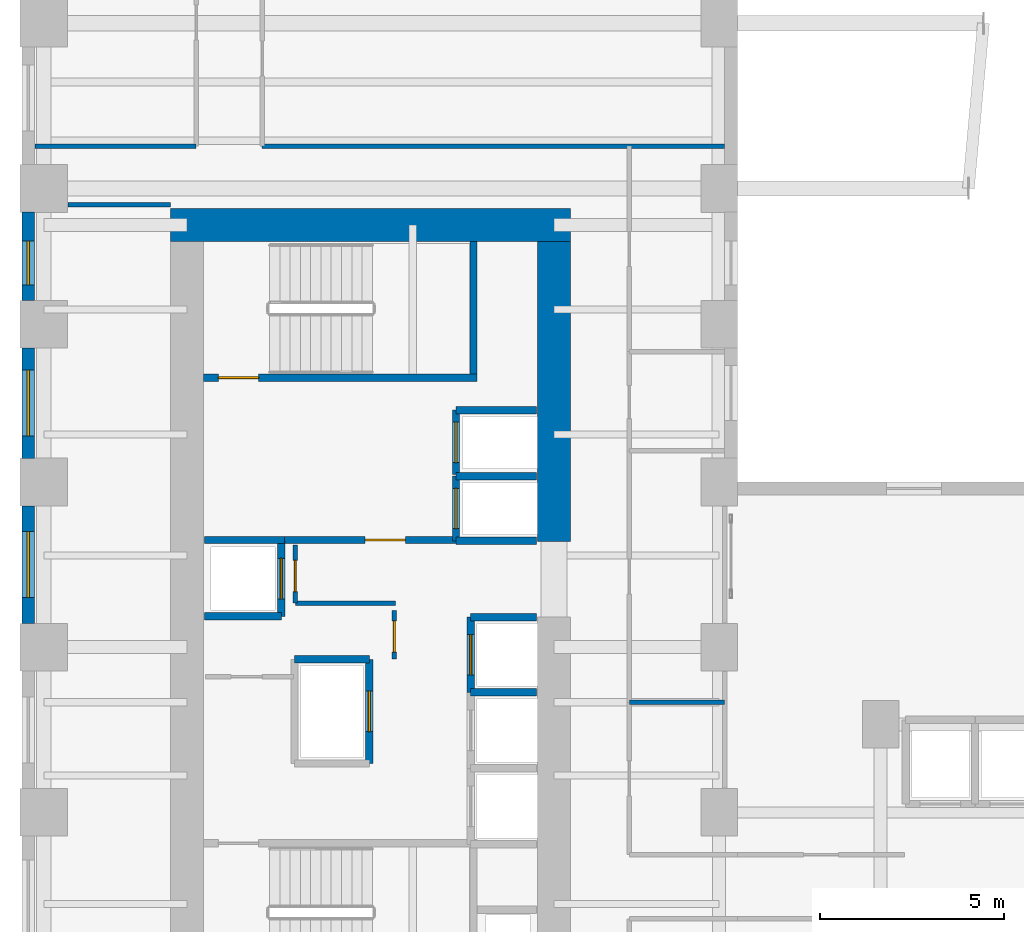
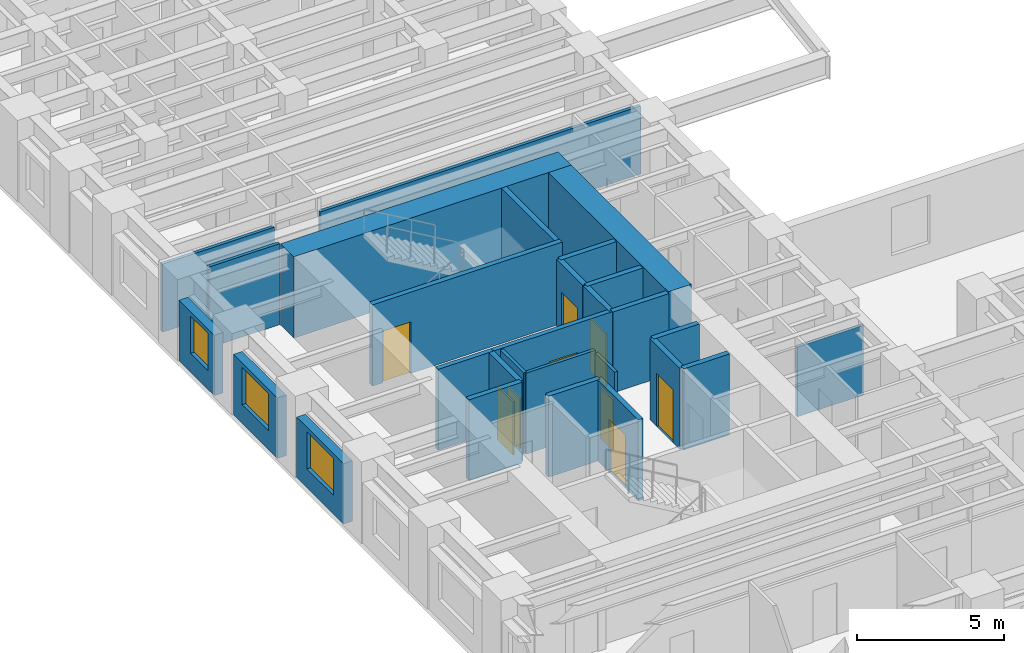
# One storey, part 7 of 13: 28 walls, 9 doors, 3 windows, 12 openings.
"""IFC4 building model written with IfcOpenShell, lengths in metres."""

from ifc_helpers import new_model, si_unit, direction, frame, frame_2d, origin, place, context, subcontext, project, spatial, rectangle, extrude, source, transform, mapped, material, layer, layer_set, type_object, element, fill, save


model = new_model("IFC4")

# Units and contexts
model_context = context("Model", 3, precision=1e-05, world=origin(), true_north=direction((0.0, 1.0)))
body_context = subcontext(model_context, "Body", "Model", "MODEL_VIEW")
ifc_project = project(units=[si_unit("LENGTHUNIT", "METRE"), si_unit("AREAUNIT", "SQUARE_METRE"), si_unit("VOLUMEUNIT", "CUBIC_METRE"), si_unit("PLANEANGLEUNIT", "RADIAN"), si_unit("MASSUNIT", "GRAM", prefix="KILO")], contexts=[model_context])

# Site, building, storey
site_placement = place(None, origin())
site = spatial("IfcSite", under=ifc_project, at=site_placement, CompositionType="ELEMENT")
building_placement = place(site_placement, origin())
building = spatial("IfcBuilding", under=site, at=building_placement, Name="Kharzan Plaza Tower", CompositionType="ELEMENT")
storey_placement = place(building_placement, frame((0.0, 0.0, 65.699951171875)))
storey = spatial("IfcBuildingStorey", under=building, at=storey_placement, Name="L17", CompositionType="ELEMENT", Elevation=65.699951171875)

# Wall, opening, window
ifc_material_1 = material(Name="Concrete C40/50", Category="concrete")
ifc_layer_1 = layer(ifc_material_1, 0.35009765625)
ifc_layer_set_1 = layer_set([ifc_layer_1], Name="Concrete C40/50")
wall_type_1 = type_object("IfcWallType", Name="WL-EXT-MAS-Z1", PredefinedType="SOLIDWALL", material=ifc_layer_set_1)
wall_1_placement = place(storey_placement, frame((0.175048828125, 29.85205078125, 0.0), z_axis=(0.0, 0.0, 1.0), x_axis=(0.0, -1.0, 0.0)))
wall_1 = element("IfcWall", 1, at=wall_1_placement, inside=storey, type_object=wall_type_1, Name="L17 Masonry-Frame Exterior Wall 14", PredefinedType="SOLIDWALL", context=body_context, shape_type="SweptSolid", body=[
    extrude(rectangle(XDim=2.404052734375, YDim=0.35009765625, at=frame_2d((1.2021484375, 0.0))), origin(), (0.0, 0.0, 1.0), 2.510009765625),
])
opening_1_placement = place(wall_1_placement, frame((0.786865234375, 0.0, 0.780029296875)))
opening_1 = element("IfcOpeningElement", 2, at=opening_1_placement, cuts=wall_1, Name="Opening W3", PredefinedType="OPENING", context=body_context, shape_type="SweptSolid", body=[
    extrude(rectangle(XDim=1.199951171875, YDim=1.550048828125, at=frame_2d((0.60009765625, 0.77490234375))), frame((0.0, 0.18505859375, 0.0), z_axis=(0.0, -1.0, 0.0), x_axis=(1.0, 0.0, 0.0)), (0.0, 0.0, 1.0), 0.3701171875),
])
ifc_material_2 = material(Name="Low-E Double Glazing", Category="glass")
window_type_1 = type_object("IfcWindowType", Name="WN-REC-1200x2100", PartitioningType="SINGLE_PANEL", PredefinedType="WINDOW", material=ifc_material_2)
shared_shape_1 = source(origin(), body_context, "Body", "SweptSolid", [
    extrude(rectangle(XDim=1.199951171875, YDim=1.550048828125, at=frame_2d((0.60009765625, 0.77490234375))), frame((0.0, 0.030029296875, 0.0), z_axis=(0.0, -1.0, 0.0), x_axis=(1.0, 0.0, 0.0)), (0.0, 0.0, 1.0), 0.06005859375),
])
window_1_placement = place(opening_1_placement, origin())
window_1 = element("IfcWindow", 3, at=window_1_placement, inside=storey, type_object=window_type_1, Name="L17 Recessed Solar-Control Window 14-1", OverallHeight=1.550048828125, OverallWidth=1.199951171875, PartitioningType="SINGLE_PANEL", PredefinedType="WINDOW", context=body_context, shape_type="MappedRepresentation", body=[
    mapped(shared_shape_1, transform((0.0, 0.0, 0.0), x_axis=(1.0, 0.0, 0.0), y_axis=(0.0, 1.0, 0.0), z_axis=(0.0, 0.0, 1.0))),
])
fill(opening_1, window_1)

wall_2_placement = place(storey_placement, frame((0.175048828125, 26.152099609375, 0.0), z_axis=(0.0, 0.0, 1.0), x_axis=(0.0, -1.0, 0.0)))
wall_2 = element("IfcWall", 4, at=wall_2_placement, inside=storey, type_object=wall_type_1, Name="L17 Masonry-Frame Exterior Wall 15", PredefinedType="SOLIDWALL", context=body_context, shape_type="SweptSolid", body=[
    extrude(rectangle(XDim=3.004150390625, YDim=0.35009765625, at=frame_2d((1.501953125, 0.0))), origin(), (0.0, 0.0, 1.0), 2.510009765625),
])
opening_2_placement = place(wall_2_placement, frame((0.60205078125, 0.0, 0.780029296875)))
opening_2 = element("IfcOpeningElement", 5, at=opening_2_placement, cuts=wall_2, Name="Opening W1", PredefinedType="OPENING", context=body_context, shape_type="SweptSolid", body=[
    extrude(rectangle(XDim=1.800048828125, YDim=1.550048828125, at=frame_2d((0.89990234375, 0.77490234375))), frame((0.0, 0.18505859375, 0.0), z_axis=(0.0, -1.0, 0.0), x_axis=(1.0, 0.0, 0.0)), (0.0, 0.0, 1.0), 0.3701171875),
])
window_type_2 = type_object("IfcWindowType", Name="WN-REC-1800x2100", PartitioningType="SINGLE_PANEL", PredefinedType="WINDOW", material=ifc_material_2)
shared_shape_2 = source(origin(), body_context, "Body", "SweptSolid", [
    extrude(rectangle(XDim=1.800048828125, YDim=1.550048828125, at=frame_2d((0.89990234375, 0.77490234375))), frame((0.0, 0.030029296875, 0.0), z_axis=(0.0, -1.0, 0.0), x_axis=(1.0, 0.0, 0.0)), (0.0, 0.0, 1.0), 0.06005859375),
])
window_2_placement = place(opening_2_placement, origin())
window_2 = element("IfcWindow", 6, at=window_2_placement, inside=storey, type_object=window_type_2, Name="L17 Recessed Solar-Control Window 15-1", OverallHeight=1.550048828125, OverallWidth=1.800048828125, PartitioningType="SINGLE_PANEL", PredefinedType="WINDOW", context=body_context, shape_type="MappedRepresentation", body=[
    mapped(shared_shape_2, transform((0.0, 0.0, 0.0), x_axis=(1.0, 0.0, 0.0), y_axis=(0.0, 1.0, 0.0), z_axis=(0.0, 0.0, 1.0))),
])
fill(opening_2, window_2)

wall_3_placement = place(storey_placement, frame((0.175048828125, 21.85205078125, 0.0), z_axis=(0.0, 0.0, 1.0), x_axis=(0.0, -1.0, 0.0)))
wall_3 = element("IfcWall", 7, at=wall_3_placement, inside=storey, type_object=wall_type_1, Name="L17 Masonry-Frame Exterior Wall 16", PredefinedType="SOLIDWALL", context=body_context, shape_type="SweptSolid", body=[
    extrude(rectangle(XDim=3.2041015625, YDim=0.35009765625, at=frame_2d((1.60205078125, 0.0))), origin(), (0.0, 0.0, 1.0), 2.510009765625),
])
opening_3_placement = place(wall_3_placement, frame((0.701904296875, 0.0, 0.780029296875)))
opening_3 = element("IfcOpeningElement", 8, at=opening_3_placement, cuts=wall_3, Name="Opening W1", PredefinedType="OPENING", context=body_context, shape_type="SweptSolid", body=[
    extrude(rectangle(XDim=1.800048828125, YDim=1.550048828125, at=frame_2d((0.89990234375, 0.77490234375))), frame((0.0, 0.18505859375, 0.0), z_axis=(0.0, -1.0, 0.0), x_axis=(1.0, 0.0, 0.0)), (0.0, 0.0, 1.0), 0.3701171875),
])
window_3_placement = place(opening_3_placement, origin())
window_3 = element("IfcWindow", 9, at=window_3_placement, inside=storey, type_object=window_type_2, Name="L17 Recessed Solar-Control Window 16-1", OverallHeight=1.550048828125, OverallWidth=1.800048828125, PartitioningType="SINGLE_PANEL", PredefinedType="WINDOW", context=body_context, shape_type="MappedRepresentation", body=[
    mapped(shared_shape_2, transform((0.0, 0.0, 0.0), x_axis=(1.0, 0.0, 0.0), y_axis=(0.0, 1.0, 0.0), z_axis=(0.0, 0.0, 1.0))),
])
fill(opening_3, window_3)

# Wall, opening, door
ifc_layer_2 = layer(ifc_material_1, 0.179931640625)
ifc_layer_set_2 = layer_set([ifc_layer_2], Name="Concrete C40/50")
wall_type_2 = type_object("IfcWallType", Name="WL-INT-FIRE-180", PredefinedType="PARTITIONING", material=ifc_layer_set_2)
wall_4_placement = place(storey_placement, frame((7.14990234375, 20.919921875, 0.0), z_axis=(0.0, 0.0, 1.0), x_axis=(1.0, 0.0, 0.0)))
wall_4 = element("IfcWall", 10, at=wall_4_placement, inside=storey, type_object=wall_type_2, Name="L17 Interior Partition CA-FF-S", PredefinedType="PARTITIONING", context=body_context, shape_type="SweptSolid", body=[
    extrude(rectangle(XDim=4.68017578125, YDim=0.179931640625, at=frame_2d((2.340087890625, 0.0))), origin(), (0.0, 0.0, 1.0), 3.364990234375),
])
opening_4_placement = place(wall_4_placement, frame((2.199951171875, 0.0, 0.0)))
opening_4 = element("IfcOpeningElement", 11, at=opening_4_placement, cuts=wall_4, Name="Opening FD1", PredefinedType="OPENING", context=body_context, shape_type="SweptSolid", body=[
    extrude(rectangle(XDim=1.10009765625, YDim=2.14990234375, at=frame_2d((0.550048828125, 1.074951171875))), frame((0.0, 0.099853515625, 0.0), z_axis=(0.0, -1.0, 0.0), x_axis=(1.0, 0.0, 0.0)), (0.0, 0.0, 1.0), 0.199951171875),
])
ifc_material_3 = material(Name="Fire-Rated Acoustic Vision-Panel Steel", Category="steel")
door_type_1 = type_object("IfcDoorType", Name="DR-FIRE-LOBBY", OperationType="NOTDEFINED", PredefinedType="DOOR", material=ifc_material_3)
shared_shape_3 = source(origin(), body_context, "Body", "SweptSolid", [
    extrude(rectangle(XDim=1.10009765625, YDim=2.14990234375, at=frame_2d((0.550048828125, 1.074951171875))), frame((0.0, 0.02490234375, 0.0), z_axis=(0.0, -1.0, 0.0), x_axis=(1.0, 0.0, 0.0)), (0.0, 0.0, 1.0), 0.050048828125),
])
door_1_placement = place(opening_4_placement, origin())
door_1 = element("IfcDoor", 12, at=door_1_placement, inside=storey, type_object=door_type_1, Name="L17 Firefighting Lobby Door", OperationType="SINGLE_SWING_LEFT", OverallHeight=2.14990234375, OverallWidth=1.10009765625, PredefinedType="DOOR", context=body_context, shape_type="MappedRepresentation", body=[
    mapped(shared_shape_3, transform((0.0, 0.0, 0.0), x_axis=(1.0, 0.0, 0.0), y_axis=(0.0, 1.0, 0.0), z_axis=(0.0, 0.0, 1.0))),
])
fill(opening_4, door_1)

ifc_material_4 = material(Name="Fire-Rated Gypsum Board Partition", Category="gypsum")
ifc_layer_3 = layer(ifc_material_4, 0.125)
ifc_layer_set_3 = layer_set([ifc_layer_3], Name="Fire-Rated Gypsum Board Partition")
wall_type_3 = type_object("IfcWallType", Name="WL-INT-PART-125", PredefinedType="PARTITIONING", material=ifc_layer_set_3)
wall_5_placement = place(storey_placement, frame((10.14990234375, 17.679931640625, 0.0), z_axis=(0.0, 0.0, 1.0), x_axis=(0.0, 1.0, 0.0)))
wall_5 = element("IfcWall", 13, at=wall_5_placement, inside=storey, type_object=wall_type_3, Name="L17 Interior Partition CA-K2A", PredefinedType="PARTITIONING", context=body_context, shape_type="SweptSolid", body=[
    extrude(rectangle(XDim=1.320068359375, YDim=0.125, at=frame_2d((0.66015625, 0.0))), origin(), (0.0, 0.0, 1.0), 3.364990234375),
])
opening_5_placement = place(wall_5_placement, frame((0.18505859375, 0.0, 0.0)))
opening_5 = element("IfcOpeningElement", 14, at=opening_5_placement, cuts=wall_5, Name="Opening RD1", PredefinedType="OPENING", context=body_context, shape_type="SweptSolid", body=[
    extrude(rectangle(XDim=0.85009765625, YDim=2.10009765625, at=frame_2d((0.425048828125, 1.050048828125))), frame((0.0, 0.072509765625, 0.0), z_axis=(0.0, -1.0, 0.0), x_axis=(1.0, 0.0, 0.0)), (0.0, 0.0, 1.0), 0.14501953125),
])
ifc_material_5 = material(Name="Powder-Coated Fire-Rated Steel", Category="steel")
door_type_2 = type_object("IfcDoorType", Name="DR-RISER-900", OperationType="NOTDEFINED", PredefinedType="DOOR", material=ifc_material_5)
shared_shape_4 = source(origin(), body_context, "Body", "SweptSolid", [
    extrude(rectangle(XDim=0.85009765625, YDim=2.10009765625, at=frame_2d((0.425048828125, 1.050048828125))), frame((0.0, 0.02490234375, 0.0), z_axis=(0.0, -1.0, 0.0), x_axis=(1.0, 0.0, 0.0)), (0.0, 0.0, 1.0), 0.050048828125),
])
door_2_placement = place(opening_5_placement, origin())
door_2 = element("IfcDoor", 15, at=door_2_placement, inside=storey, type_object=door_type_2, Name="L17 Core Mechanical Store Door", OperationType="SINGLE_SWING_RIGHT", OverallHeight=2.10009765625, OverallWidth=0.85009765625, PredefinedType="DOOR", context=body_context, shape_type="MappedRepresentation", body=[
    mapped(shared_shape_4, transform((0.0, 0.0, 0.0), x_axis=(1.0, 0.0, 0.0), y_axis=(0.0, 1.0, 0.0), z_axis=(0.0, 0.0, 1.0))),
])
fill(opening_5, door_2)

wall_6_placement = place(storey_placement, frame((7.449951171875, 19.199951171875, 0.0), z_axis=(0.0, 0.0, 1.0), x_axis=(0.0, 1.0, 0.0)))
wall_6 = element("IfcWall", 16, at=wall_6_placement, inside=storey, type_object=wall_type_3, Name="L17 Interior Partition CA-K2B", PredefinedType="PARTITIONING", context=body_context, shape_type="SweptSolid", body=[
    extrude(rectangle(XDim=1.580078125, YDim=0.125, at=frame_2d((0.7900390625, 0.0))), origin(), (0.0, 0.0, 1.0), 3.364990234375),
])
opening_6_placement = place(wall_6_placement, frame((0.31494140625, 0.0, 0.0)))
opening_6 = element("IfcOpeningElement", 17, at=opening_6_placement, cuts=wall_6, Name="Opening RD1", PredefinedType="OPENING", context=body_context, shape_type="SweptSolid", body=[
    extrude(rectangle(XDim=0.85009765625, YDim=2.10009765625, at=frame_2d((0.425048828125, 1.050048828125))), frame((0.0, 0.072509765625, 0.0), z_axis=(0.0, -1.0, 0.0), x_axis=(1.0, 0.0, 0.0)), (0.0, 0.0, 1.0), 0.14501953125),
])
door_3_placement = place(opening_6_placement, origin())
door_3 = element("IfcDoor", 18, at=door_3_placement, inside=storey, type_object=door_type_2, Name="L17 Core Plant Store Door", OperationType="SINGLE_SWING_LEFT", OverallHeight=2.10009765625, OverallWidth=0.85009765625, PredefinedType="DOOR", context=body_context, shape_type="MappedRepresentation", body=[
    mapped(shared_shape_4, transform((0.0, 0.0, 0.0), x_axis=(1.0, 0.0, 0.0), y_axis=(0.0, 1.0, 0.0), z_axis=(0.0, 0.0, 1.0))),
])
fill(opening_6, door_3)

ifc_layer_4 = layer(ifc_material_1, 0.199951171875)
ifc_layer_set_4 = layer_set([ifc_layer_4], Name="Concrete C40/50")
wall_type_4 = type_object("IfcWallType", Name="WL-INT-SHAFT-200", PredefinedType="PARTITIONING", material=ifc_layer_set_4)
wall_7_placement = place(storey_placement, frame((11.830078125, 20.89990234375, 0.0), z_axis=(0.0, 0.0, 1.0), x_axis=(0.0, 1.0, 0.0)))
wall_7 = element("IfcWall", 19, at=wall_7_placement, inside=storey, type_object=wall_type_4, Name="L17 Interior Partition SHF-FFL-1-W", PredefinedType="PARTITIONING", context=body_context, shape_type="SweptSolid", body=[
    extrude(rectangle(XDim=1.760009765625, YDim=0.199951171875, at=frame_2d((0.8798828125, 0.0))), origin(), (0.0, 0.0, 1.0), 3.364990234375),
])
opening_7_placement = place(wall_7_placement, frame((0.330078125, 0.0, 0.0)))
opening_7 = element("IfcOpeningElement", 20, at=opening_7_placement, cuts=wall_7, Name="Opening LD", PredefinedType="OPENING", context=body_context, shape_type="SweptSolid", body=[
    extrude(rectangle(XDim=1.10009765625, YDim=2.199951171875, at=frame_2d((0.550048828125, 1.10009765625))), frame((0.0, 0.10986328125, 0.0), z_axis=(0.0, -1.0, 0.0), x_axis=(1.0, 0.0, 0.0)), (0.0, 0.0, 1.0), 0.219970703125),
])
ifc_material_6 = material(Name="Brushed Stainless Steel", Category="steel")
door_type_3 = type_object("IfcDoorType", Name="DR-LIFT-SLIDE", OperationType="SLIDING_TO_LEFT", PredefinedType="DOOR", material=ifc_material_6)
shared_shape_5 = source(origin(), body_context, "Body", "SweptSolid", [
    extrude(rectangle(XDim=1.10009765625, YDim=2.199951171875, at=frame_2d((0.550048828125, 1.10009765625))), frame((0.0, 0.02490234375, 0.0), z_axis=(0.0, -1.0, 0.0), x_axis=(1.0, 0.0, 0.0)), (0.0, 0.0, 1.0), 0.050048828125),
])
door_4_placement = place(opening_7_placement, origin())
door_4 = element("IfcDoor", 21, at=door_4_placement, inside=storey, type_object=door_type_3, Name="L17 Firefighting Lift FFL-1 Sliding Landing Door", OperationType="SLIDING_TO_LEFT", OverallHeight=2.199951171875, OverallWidth=1.10009765625, PredefinedType="DOOR", context=body_context, shape_type="MappedRepresentation", body=[
    mapped(shared_shape_5, transform((0.0, 0.0, 0.0), x_axis=(1.0, 0.0, 0.0), y_axis=(0.0, 1.0, 0.0), z_axis=(0.0, 0.0, 1.0))),
])
fill(opening_7, door_4)

wall_8_placement = place(storey_placement, frame((11.830078125, 22.699951171875, 0.0), z_axis=(0.0, 0.0, 1.0), x_axis=(0.0, 1.0, 0.0)))
wall_8 = element("IfcWall", 22, at=wall_8_placement, inside=storey, type_object=wall_type_4, Name="L17 Interior Partition SHF-FFL-2-W", PredefinedType="PARTITIONING", context=body_context, shape_type="SweptSolid", body=[
    extrude(rectangle(XDim=1.760009765625, YDim=0.199951171875, at=frame_2d((0.8798828125, 0.0))), origin(), (0.0, 0.0, 1.0), 3.364990234375),
])
opening_8_placement = place(wall_8_placement, frame((0.330078125, 0.0, 0.0)))
opening_8 = element("IfcOpeningElement", 23, at=opening_8_placement, cuts=wall_8, Name="Opening LD", PredefinedType="OPENING", context=body_context, shape_type="SweptSolid", body=[
    extrude(rectangle(XDim=1.10009765625, YDim=2.199951171875, at=frame_2d((0.550048828125, 1.10009765625))), frame((0.0, 0.10986328125, 0.0), z_axis=(0.0, -1.0, 0.0), x_axis=(1.0, 0.0, 0.0)), (0.0, 0.0, 1.0), 0.219970703125),
])
door_5_placement = place(opening_8_placement, origin())
door_5 = element("IfcDoor", 24, at=door_5_placement, inside=storey, type_object=door_type_3, Name="L17 Firefighting Lift FFL-2 Sliding Landing Door", OperationType="SLIDING_TO_LEFT", OverallHeight=2.199951171875, OverallWidth=1.10009765625, PredefinedType="DOOR", context=body_context, shape_type="MappedRepresentation", body=[
    mapped(shared_shape_5, transform((0.0, 0.0, 0.0), x_axis=(1.0, 0.0, 0.0), y_axis=(0.0, 1.0, 0.0), z_axis=(0.0, 0.0, 1.0))),
])
fill(opening_8, door_5)

wall_9_placement = place(storey_placement, frame((12.22998046875, 16.77001953125, 0.0), z_axis=(0.0, 0.0, 1.0), x_axis=(0.0, 1.0, 0.0)))
wall_9 = element("IfcWall", 25, at=wall_9_placement, inside=storey, type_object=wall_type_4, Name="L17 Interior Partition SHF-PL-H3-W", PredefinedType="PARTITIONING", context=body_context, shape_type="SweptSolid", body=[
    extrude(rectangle(XDim=2.050048828125, YDim=0.199951171875, at=frame_2d((1.02490234375, 0.0))), origin(), (0.0, 0.0, 1.0), 3.364990234375),
])
opening_9_placement = place(wall_9_placement, frame((0.47509765625, 0.0, 0.0)))
opening_9 = element("IfcOpeningElement", 26, at=opening_9_placement, cuts=wall_9, Name="Opening LD", PredefinedType="OPENING", context=body_context, shape_type="SweptSolid", body=[
    extrude(rectangle(XDim=1.10009765625, YDim=2.199951171875, at=frame_2d((0.550048828125, 1.10009765625))), frame((0.0, 0.10986328125, 0.0), z_axis=(0.0, -1.0, 0.0), x_axis=(1.0, 0.0, 0.0)), (0.0, 0.0, 1.0), 0.219970703125),
])
door_6_placement = place(opening_9_placement, origin())
door_6 = element("IfcDoor", 27, at=door_6_placement, inside=storey, type_object=door_type_3, Name="L17 High-Rise Passenger Lift PL-H3 Sliding Landing Door", OperationType="SLIDING_TO_LEFT", OverallHeight=2.199951171875, OverallWidth=1.10009765625, PredefinedType="DOOR", context=body_context, shape_type="MappedRepresentation", body=[
    mapped(shared_shape_5, transform((0.0, 0.0, 0.0), x_axis=(1.0, 0.0, 0.0), y_axis=(0.0, 1.0, 0.0), z_axis=(0.0, 0.0, 1.0))),
])
fill(opening_9, door_6)

wall_10_placement = place(storey_placement, frame((7.070068359375, 18.840087890625, 0.0), z_axis=(0.0, 0.0, 1.0), x_axis=(0.0, 1.0, 0.0)))
wall_10 = element("IfcWall", 28, at=wall_10_placement, inside=storey, type_object=wall_type_4, Name="L17 Interior Partition SHF-PL-H4-E", PredefinedType="PARTITIONING", context=body_context, shape_type="SweptSolid", body=[
    extrude(rectangle(XDim=2.059814453125, YDim=0.199951171875, at=frame_2d((1.02978515625, 0.0))), origin(), (0.0, 0.0, 1.0), 3.364990234375),
])
opening_10_placement = place(wall_10_placement, frame((0.47998046875, 0.0, 0.0)))
opening_10 = element("IfcOpeningElement", 29, at=opening_10_placement, cuts=wall_10, Name="Opening LD", PredefinedType="OPENING", context=body_context, shape_type="SweptSolid", body=[
    extrude(rectangle(XDim=1.10009765625, YDim=2.199951171875, at=frame_2d((0.550048828125, 1.10009765625))), frame((0.0, 0.10986328125, 0.0), z_axis=(0.0, -1.0, 0.0), x_axis=(1.0, 0.0, 0.0)), (0.0, 0.0, 1.0), 0.219970703125),
])
door_7_placement = place(opening_10_placement, origin())
door_7 = element("IfcDoor", 30, at=door_7_placement, inside=storey, type_object=door_type_3, Name="L17 High-Rise Passenger Lift PL-H4 Sliding Landing Door", OperationType="SLIDING_TO_LEFT", OverallHeight=2.199951171875, OverallWidth=1.10009765625, PredefinedType="DOOR", context=body_context, shape_type="MappedRepresentation", body=[
    mapped(shared_shape_5, transform((0.0, 0.0, 0.0), x_axis=(1.0, 0.0, 0.0), y_axis=(0.0, 1.0, 0.0), z_axis=(0.0, 0.0, 1.0))),
])
fill(opening_10, door_7)

wall_11_placement = place(storey_placement, frame((9.469970703125, 14.830078125, 0.0), z_axis=(0.0, 0.0, 1.0), x_axis=(0.0, 1.0, 0.0)))
wall_11 = element("IfcWall", 31, at=wall_11_placement, inside=storey, type_object=wall_type_4, Name="L17 Interior Partition SHF-SVL-1-E", PredefinedType="PARTITIONING", context=body_context, shape_type="SweptSolid", body=[
    extrude(rectangle(XDim=2.83984375, YDim=0.199951171875, at=frame_2d((1.419921875, 0.0))), origin(), (0.0, 0.0, 1.0), 3.364990234375),
])
opening_11_placement = place(wall_11_placement, frame((0.8701171875, 0.0, 0.0)))
opening_11 = element("IfcOpeningElement", 32, at=opening_11_placement, cuts=wall_11, Name="Opening LD", PredefinedType="OPENING", context=body_context, shape_type="SweptSolid", body=[
    extrude(rectangle(XDim=1.10009765625, YDim=2.199951171875, at=frame_2d((0.550048828125, 1.10009765625))), frame((0.0, 0.10986328125, 0.0), z_axis=(0.0, -1.0, 0.0), x_axis=(1.0, 0.0, 0.0)), (0.0, 0.0, 1.0), 0.219970703125),
])
door_8_placement = place(opening_11_placement, origin())
door_8 = element("IfcDoor", 33, at=door_8_placement, inside=storey, type_object=door_type_3, Name="L17 Service Lift SVL-1 Sliding Landing Door", OperationType="SLIDING_TO_LEFT", OverallHeight=2.199951171875, OverallWidth=1.10009765625, PredefinedType="DOOR", context=body_context, shape_type="MappedRepresentation", body=[
    mapped(shared_shape_5, transform((0.0, 0.0, 0.0), x_axis=(1.0, 0.0, 0.0), y_axis=(0.0, 1.0, 0.0), z_axis=(0.0, 0.0, 1.0))),
])
fill(opening_11, door_8)

ifc_material_7 = material(Name="Concrete C50/60", Category="concrete")
ifc_layer_5 = layer(ifc_material_7, 0.199951171875)
ifc_layer_set_5 = layer_set([ifc_layer_5], Name="Concrete C50/60")
wall_type_5 = type_object("IfcWallType", Name="WL-SHAFT-RC200", PredefinedType="SHEAR", material=ifc_layer_set_5)
wall_12_placement = place(storey_placement, frame((4.951904296875, 25.344970703125, 0.0), z_axis=(0.0, 0.0, 1.0), x_axis=(1.0, 0.0, 0.0)))
wall_12 = element("IfcWall", 34, at=wall_12_placement, inside=storey, type_object=wall_type_5, Name="L17 Stair ST-2 South RC Shaft Wall", PredefinedType="SHEAR", context=body_context, shape_type="SweptSolid", body=[
    extrude(rectangle(XDim=7.453125, YDim=0.199951171875, at=frame_2d((3.7265625, 0.0))), origin(), (0.0, 0.0, 1.0), 3.380126953125),
])
opening_12_placement = place(wall_12_placement, frame((0.39990234375, 0.0, 0.0)))
opening_12 = element("IfcOpeningElement", 35, at=opening_12_placement, cuts=wall_12, Name="Opening SD1", PredefinedType="OPENING", context=body_context, shape_type="SweptSolid", body=[
    extrude(rectangle(XDim=1.10009765625, YDim=2.14990234375, at=frame_2d((0.550048828125, 1.074951171875))), frame((0.0, 0.10986328125, 0.0), z_axis=(0.0, -1.0, 0.0), x_axis=(1.0, 0.0, 0.0)), (0.0, 0.0, 1.0), 0.219970703125),
])
ifc_material_8 = material(Name="Fire-Rated Hollow Galvanized Steel", Category="steel")
door_type_4 = type_object("IfcDoorType", Name="DR-STAIR-FD120", OperationType="NOTDEFINED", PredefinedType="DOOR", material=ifc_material_8)
shared_shape_6 = source(origin(), body_context, "Body", "SweptSolid", [
    extrude(rectangle(XDim=1.10009765625, YDim=2.14990234375, at=frame_2d((0.550048828125, 1.074951171875))), frame((0.0, 0.02490234375, 0.0), z_axis=(0.0, -1.0, 0.0), x_axis=(1.0, 0.0, 0.0)), (0.0, 0.0, 1.0), 0.050048828125),
])
door_9_placement = place(opening_12_placement, origin())
door_9 = element("IfcDoor", 36, at=door_9_placement, inside=storey, type_object=door_type_4, Name="L17 Stair ST-2 Fire Exit Door", OperationType="SINGLE_SWING_RIGHT", OverallHeight=2.14990234375, OverallWidth=1.10009765625, PredefinedType="DOOR", context=body_context, shape_type="MappedRepresentation", body=[
    mapped(shared_shape_6, transform((0.0, 0.0, 0.0), x_axis=(1.0, 0.0, 0.0), y_axis=(0.0, 1.0, 0.0), z_axis=(0.0, 0.0, 1.0))),
])
fill(opening_12, door_9)

# Walls
shared_shape_7 = source(origin(), body_context, "Body", "SweptSolid", [
    extrude(rectangle(XDim=2.169921875, YDim=0.179931640625, at=frame_2d((1.0849609375, 0.0))), origin(), (0.0, 0.0, 1.0), 3.364990234375),
])
wall_13_placement = place(storey_placement, frame((4.97998046875, 20.919921875, 0.0), z_axis=(0.0, 0.0, 1.0), x_axis=(1.0, 0.0, 0.0)))
element("IfcWall", 37, at=wall_13_placement, inside=storey, type_object=wall_type_2, Name="L17 Interior Partition CA-FF-SW", PredefinedType="PARTITIONING", context=body_context, shape_type="MappedRepresentation", body=[
    mapped(shared_shape_7, transform((0.0, 0.0, 0.0), x_axis=(1.0, 0.0, 0.0), y_axis=(0.0, 1.0, 0.0), z_axis=(0.0, 0.0, 1.0))),
])
shared_shape_8 = source(origin(), body_context, "Body", "SweptSolid", [
    extrude(rectangle(XDim=2.72998046875, YDim=0.125, at=frame_2d((1.364990234375, 0.0))), origin(), (0.0, 0.0, 1.0), 3.364990234375),
])
wall_14_placement = place(storey_placement, frame((7.449951171875, 19.199951171875, 0.0), z_axis=(0.0, 0.0, 1.0), x_axis=(1.0, 0.0, 0.0)))
element("IfcWall", 38, at=wall_14_placement, inside=storey, type_object=wall_type_3, Name="L17 Interior Partition CA-K2M", PredefinedType="PARTITIONING", context=body_context, shape_type="MappedRepresentation", body=[
    mapped(shared_shape_8, transform((0.0, 0.0, 0.0), x_axis=(1.0, 0.0, 0.0), y_axis=(0.0, 1.0, 0.0), z_axis=(0.0, 0.0, 1.0))),
])
shared_shape_9 = source(origin(), body_context, "Body", "SweptSolid", [
    extrude(rectangle(XDim=2.599853515625, YDim=0.125, at=frame_2d((1.2998046875, 0.0))), origin(), (0.0, 0.0, 1.0), 2.89599609375),
])
wall_15_placement = place(storey_placement, frame((16.550048828125, 16.5, 0.0), z_axis=(0.0, 0.0, 1.0), x_axis=(1.0, 0.0, 0.0)))
element("IfcWall", 39, at=wall_15_placement, inside=storey, type_object=wall_type_3, Name="L17 Interior Partition SH-AEH-165", PredefinedType="PARTITIONING", context=body_context, shape_type="MappedRepresentation", body=[
    mapped(shared_shape_9, transform((0.0, 0.0, 0.0), x_axis=(1.0, 0.0, 0.0), y_axis=(0.0, 1.0, 0.0), z_axis=(0.0, 0.0, 1.0))),
])
shared_shape_10 = source(origin(), body_context, "Body", "SweptSolid", [
    extrude(rectangle(XDim=2.7900390625, YDim=0.125, at=frame_2d((1.39501953125, 0.0))), origin(), (0.0, 0.0, 1.0), 3.364990234375),
])
wall_16_placement = place(storey_placement, frame((1.260009765625, 30.050048828125, 0.0), z_axis=(0.0, 0.0, 1.0), x_axis=(1.0, 0.0, 0.0)))
element("IfcWall", 40, at=wall_16_placement, inside=storey, type_object=wall_type_3, Name="L17 Interior Partition SH-RWN0", PredefinedType="PARTITIONING", context=body_context, shape_type="MappedRepresentation", body=[
    mapped(shared_shape_10, transform((0.0, 0.0, 0.0), x_axis=(1.0, 0.0, 0.0), y_axis=(0.0, 1.0, 0.0), z_axis=(0.0, 0.0, 1.0))),
])
shared_shape_11 = source(origin(), body_context, "Body", "SweptSolid", [
    extrude(rectangle(XDim=2.18994140625, YDim=0.199951171875, at=frame_2d((1.094970703125, 0.0))), origin(), (0.0, 0.0, 1.0), 3.364990234375),
])
for number, where, z_axis, x_axis, name in (
    (41, (11.830078125, 22.659912109375, 0.0), (0.0, 0.0, 1.0), (1.0, 0.0, 0.0), "L17 Interior Partition SHF-FFL-1-N"),
    (42, (11.830078125, 20.89990234375, 0.0), (0.0, 0.0, 1.0), (1.0, 0.0, 0.0), "L17 Interior Partition SHF-FFL-1-S"),
    (43, (11.830078125, 24.4599609375, 0.0), (0.0, 0.0, 1.0), (1.0, 0.0, 0.0), "L17 Interior Partition SHF-FFL-2-N"),
):
    element("IfcWall", number, at=place(storey_placement, frame(where, z_axis=z_axis, x_axis=x_axis)), inside=storey, type_object=wall_type_4, Name=name, PredefinedType="PARTITIONING", context=body_context, shape_type="MappedRepresentation", body=[
        mapped(shared_shape_11, transform((0.0, 0.0, 0.0), x_axis=(1.0, 0.0, 0.0), y_axis=(0.0, 1.0, 0.0), z_axis=(0.0, 0.0, 1.0))),
    ])
shared_shape_12 = source(origin(), body_context, "Body", "SweptSolid", [
    extrude(rectangle(XDim=1.7900390625, YDim=0.199951171875, at=frame_2d((0.89501953125, 0.0))), origin(), (0.0, 0.0, 1.0), 3.364990234375),
])
for number, where, z_axis, x_axis, name in (
    (44, (12.22998046875, 16.77001953125, 0.0), (0.0, 0.0, 1.0), (1.0, 0.0, 0.0), "L17 Interior Partition SHF-PL-H2-N"),
    (45, (12.22998046875, 18.820068359375, 0.0), (0.0, 0.0, 1.0), (1.0, 0.0, 0.0), "L17 Interior Partition SHF-PL-H3-N"),
):
    element("IfcWall", number, at=place(storey_placement, frame(where, z_axis=z_axis, x_axis=x_axis)), inside=storey, type_object=wall_type_4, Name=name, PredefinedType="PARTITIONING", context=body_context, shape_type="MappedRepresentation", body=[
        mapped(shared_shape_12, transform((0.0, 0.0, 0.0), x_axis=(1.0, 0.0, 0.0), y_axis=(0.0, 1.0, 0.0), z_axis=(0.0, 0.0, 1.0))),
    ])
shared_shape_13 = source(origin(), body_context, "Body", "SweptSolid", [
    extrude(rectangle(XDim=2.090087890625, YDim=0.199951171875, at=frame_2d((1.044921875, 0.0))), origin(), (0.0, 0.0, 1.0), 3.364990234375),
])
wall_17_placement = place(storey_placement, frame((4.97998046875, 18.840087890625, 0.0), z_axis=(0.0, 0.0, 1.0), x_axis=(1.0, 0.0, 0.0)))
element("IfcWall", 46, at=wall_17_placement, inside=storey, type_object=wall_type_4, Name="L17 Interior Partition SHF-PL-H4-S", PredefinedType="PARTITIONING", context=body_context, shape_type="MappedRepresentation", body=[
    mapped(shared_shape_13, transform((0.0, 0.0, 0.0), x_axis=(1.0, 0.0, 0.0), y_axis=(0.0, 1.0, 0.0), z_axis=(0.0, 0.0, 1.0))),
])
shared_shape_14 = source(origin(), body_context, "Body", "SweptSolid", [
    extrude(rectangle(XDim=2.0400390625, YDim=0.199951171875, at=frame_2d((1.02001953125, 0.0))), origin(), (0.0, 0.0, 1.0), 3.364990234375),
])
wall_18_placement = place(storey_placement, frame((7.429931640625, 17.669921875, 0.0), z_axis=(0.0, 0.0, 1.0), x_axis=(1.0, 0.0, 0.0)))
element("IfcWall", 47, at=wall_18_placement, inside=storey, type_object=wall_type_4, Name="L17 Interior Partition SHF-SVL-1-N", PredefinedType="PARTITIONING", context=body_context, shape_type="MappedRepresentation", body=[
    mapped(shared_shape_14, transform((0.0, 0.0, 0.0), x_axis=(1.0, 0.0, 0.0), y_axis=(0.0, 1.0, 0.0), z_axis=(0.0, 0.0, 1.0))),
])
ifc_material_9 = material(Name="Concrete C60/75", Category="concrete")
ifc_layer_6 = layer(ifc_material_9, 0.89990234375)
ifc_layer_set_6 = layer_set([ifc_layer_6], Name="Concrete C60/75")
wall_type_6 = type_object("IfcWallType", Name="WL-CORE-900", PredefinedType="SHEAR", material=ifc_layer_set_6)
shared_shape_15 = source(origin(), body_context, "Body", "SweptSolid", [
    extrude(rectangle(XDim=8.170166015625, YDim=0.89990234375, at=frame_2d((4.0849609375, 0.0))), origin(), (0.0, 0.0, 1.0), 3.380126953125),
])
wall_19_placement = place(storey_placement, frame((14.5, 20.8798828125, 0.0), z_axis=(0.0, 0.0, 1.0), x_axis=(0.0, 1.0, 0.0)))
element("IfcWall", 48, at=wall_19_placement, inside=storey, type_object=wall_type_6, Name="L17 CORE-A east shear pier 2", PredefinedType="SHEAR", context=body_context, shape_type="MappedRepresentation", body=[
    mapped(shared_shape_15, transform((0.0, 0.0, 0.0), x_axis=(1.0, 0.0, 0.0), y_axis=(0.0, 1.0, 0.0), z_axis=(0.0, 0.0, 1.0))),
])
shared_shape_16 = source(origin(), body_context, "Body", "SweptSolid", [
    extrude(rectangle(XDim=10.89990234375, YDim=0.89990234375, at=frame_2d((5.449951171875, 0.0))), origin(), (0.0, 0.0, 1.0), 3.380126953125),
])
wall_20_placement = place(storey_placement, frame((4.050048828125, 29.5, 0.0), z_axis=(0.0, 0.0, 1.0), x_axis=(1.0, 0.0, 0.0)))
element("IfcWall", 49, at=wall_20_placement, inside=storey, type_object=wall_type_6, Name="L17 CORE-A north RC shear wall", PredefinedType="SHEAR", context=body_context, shape_type="MappedRepresentation", body=[
    mapped(shared_shape_16, transform((0.0, 0.0, 0.0), x_axis=(1.0, 0.0, 0.0), y_axis=(0.0, 1.0, 0.0), z_axis=(0.0, 0.0, 1.0))),
])
shared_shape_17 = source(origin(), body_context, "Body", "SweptSolid", [
    extrude(rectangle(XDim=3.60302734375, YDim=0.199951171875, at=frame_2d((1.801513671875, 0.0))), origin(), (0.0, 0.0, 1.0), 3.380126953125),
])
wall_21_placement = place(storey_placement, frame((12.304931640625, 25.445068359375, 0.0), z_axis=(0.0, 0.0, 1.0), x_axis=(0.0, 1.0, 0.0)))
element("IfcWall", 50, at=wall_21_placement, inside=storey, type_object=wall_type_5, Name="L17 Stair ST-2 East RC Shaft Wall", PredefinedType="SHEAR", context=body_context, shape_type="MappedRepresentation", body=[
    mapped(shared_shape_17, transform((0.0, 0.0, 0.0), x_axis=(1.0, 0.0, 0.0), y_axis=(0.0, 1.0, 0.0), z_axis=(0.0, 0.0, 1.0))),
])
shared_shape_18 = source(origin(), body_context, "Body", "SweptSolid", [
    extrude(rectangle(XDim=12.597900390625, YDim=0.125, at=frame_2d((6.298828125, 0.0))), origin(), (0.0, 0.0, 1.0), 2.828125),
])
wall_22_placement = place(storey_placement, frame((6.550048828125, 31.64990234375, 0.0), z_axis=(0.0, 0.0, 1.0), x_axis=(1.0, 0.0, 0.0)))
element("IfcWall", 51, at=wall_22_placement, inside=storey, type_object=wall_type_3, Name="L17 Interior Partition SH-NNE", PredefinedType="PARTITIONING", context=body_context, shape_type="MappedRepresentation", body=[
    mapped(shared_shape_18, transform((0.0, 0.0, 0.0), x_axis=(1.0, 0.0, 0.0), y_axis=(0.0, 1.0, 0.0), z_axis=(0.0, 0.0, 1.0))),
])
shared_shape_19 = source(origin(), body_context, "Body", "SweptSolid", [
    extrude(rectangle(XDim=4.39794921875, YDim=0.125, at=frame_2d((2.198974609375, 0.0))), origin(), (0.0, 0.0, 1.0), 2.828125),
])
wall_23_placement = place(storey_placement, frame((0.35205078125, 31.64990234375, 0.0), z_axis=(0.0, 0.0, 1.0), x_axis=(1.0, 0.0, 0.0)))
element("IfcWall", 52, at=wall_23_placement, inside=storey, type_object=wall_type_3, Name="L17 Interior Partition SH-NNW", PredefinedType="PARTITIONING", context=body_context, shape_type="MappedRepresentation", body=[
    mapped(shared_shape_19, transform((0.0, 0.0, 0.0), x_axis=(1.0, 0.0, 0.0), y_axis=(0.0, 1.0, 0.0), z_axis=(0.0, 0.0, 1.0))),
])

save(model, "model.ifc")
